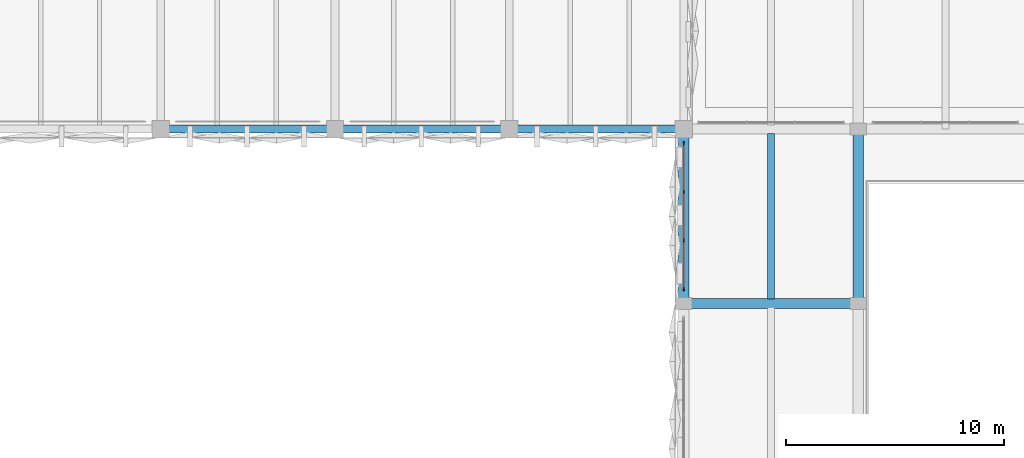
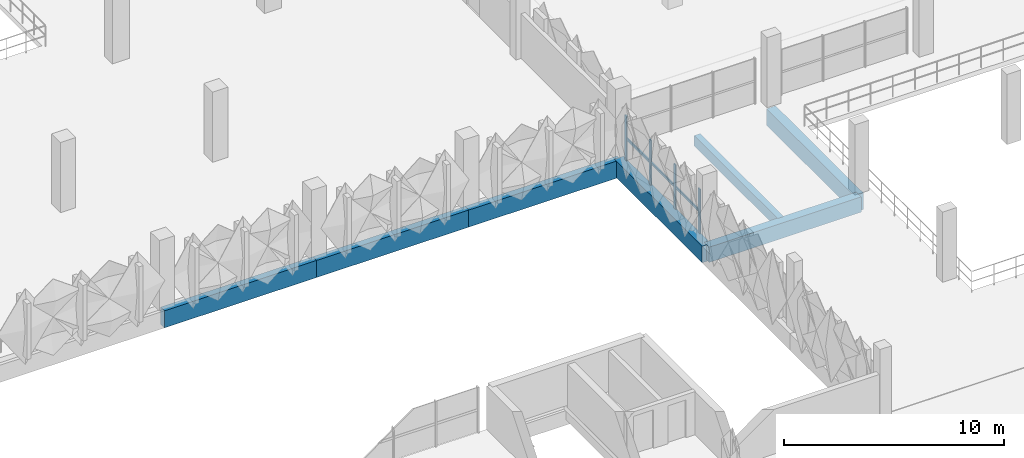
# One storey, part 49 of 123: 7 beams, 5 members, 1 element without a shape of its own.
"""IFC4 building model written with IfcOpenShell, lengths in metres."""

import ifcopenshell
import ifcopenshell.guid

model = None  # the IFC model being written
_history = None  # IfcOwnerHistory: only IFC2X3 demands one
_inside = {}  # id of a spatial element -> (the spatial element, [elements in it])
_under = {}  # id of a project, library or spatial element -> (it, [spatial elements below it])
_declared = {}  # id of a project -> (the project, [libraries it declares])
_typed = {}  # id of a type object -> (the type object, [elements of that type])
_made_of = {}  # id of a material, layer set ... -> (it, [elements and type objects made of it])


def new_model(schema):
    """Start an empty IFC model of exactly this schema.

    Asked for "IFC4X3", IfcOpenShell would pick the latest addendum, in which some entities
    have other attributes; the version numbers below select the first issue.
    IFC2X3 requires an IfcOwnerHistory on every rooted entity: one is made here for all.
    """
    global model, _history
    if schema == "IFC4X3":
        model = ifcopenshell.file(schema_version=(4, 3, 0, 0))
    else:
        model = ifcopenshell.file(schema=schema)
    _inside.clear()
    _under.clear()
    _declared.clear()
    _typed.clear()
    _made_of.clear()
    _history = None
    if model.schema == "IFC2X3":
        org = make("IfcOrganization", Name="unknown")
        user = make(
            "IfcPersonAndOrganization",
            ThePerson=make("IfcPerson", FamilyName="unknown"),
            TheOrganization=org,
        )
        app = make(
            "IfcApplication",
            ApplicationDeveloper=org,
            Version="unknown",
            ApplicationFullName="unknown",
            ApplicationIdentifier="unknown",
        )
        _history = make(
            "IfcOwnerHistory",
            OwningUser=user,
            OwningApplication=app,
            ChangeAction="ADDED",
            CreationDate=0,
        )
    return model


def make(cls, **values):
    """One entity of the class cls with the attributes given. An attribute that is None is left unset."""
    return model.create_entity(
        cls, **{name: value for name, value in values.items() if value is not None}
    )


def rooted(cls, **values):
    """An entity with a GlobalId (a new one), such as an element, a storey or a relation."""
    return make(cls, GlobalId=ifcopenshell.guid.new(), OwnerHistory=_history, **values)


def si_unit(unit_type, name, prefix=None):
    """IfcSIUnit, for example si_unit("LENGTHUNIT", "METRE", prefix="MILLI")."""
    return make("IfcSIUnit", UnitType=unit_type, Prefix=prefix, Name=name)


def derived_unit(unit_type, elements):
    """IfcDerivedUnit: a product of units, each with its exponent."""
    return make(
        "IfcDerivedUnit",
        Elements=[
            make("IfcDerivedUnitElement", Unit=unit, Exponent=power)
            for unit, power in elements
        ],
        UnitType=unit_type,
    )


def assignment(units):
    """IfcUnitAssignment: the units of a project."""
    return None if units is None else make("IfcUnitAssignment", Units=units)


def point(xyz):
    """IfcCartesianPoint."""
    return None if xyz is None else make("IfcCartesianPoint", Coordinates=xyz)


def direction(xyz):
    """IfcDirection."""
    return None if xyz is None else make("IfcDirection", DirectionRatios=xyz)


def frame(location, z_axis=None, x_axis=None):
    """IfcAxis2Placement3D, a coordinate frame: its origin and axes. An axis left out is left unset."""
    return make(
        "IfcAxis2Placement3D",
        Location=point(location),
        Axis=direction(z_axis),
        RefDirection=direction(x_axis),
    )


def frame_2d(location, x_axis=None):
    """IfcAxis2Placement2D, a coordinate frame in the plane: its origin and x axis."""
    return make(
        "IfcAxis2Placement2D", Location=point(location), RefDirection=direction(x_axis)
    )


def origin():
    """The frame at (0, 0, 0) with its axes left unset."""
    return frame((0.0, 0.0, 0.0))


def origin_2d():
    """The frame at (0, 0) in the plane with its x axis left unset."""
    return frame_2d((0.0, 0.0))


def place(relative_to, where):
    """IfcLocalPlacement: puts the frame where relative to a parent placement (None: the world)."""
    return make(
        "IfcLocalPlacement", PlacementRelTo=relative_to, RelativePlacement=where
    )


def context(
    kind, dimensions, precision=None, world=None, true_north=None, identifier=None
):
    """IfcGeometricRepresentationContext, for example the 3D "Model" context."""
    return make(
        "IfcGeometricRepresentationContext",
        ContextIdentifier=identifier,
        ContextType=kind,
        CoordinateSpaceDimension=dimensions,
        Precision=precision,
        WorldCoordinateSystem=world,
        TrueNorth=true_north,
    )


def subcontext(parent, identifier, kind, view, scale=None):
    """IfcGeometricRepresentationSubContext, for example "Body" below "Model"."""
    return make(
        "IfcGeometricRepresentationSubContext",
        ContextIdentifier=identifier,
        ContextType=kind,
        ParentContext=parent,
        TargetScale=scale,
        TargetView=view,
    )


def project(units=None, contexts=None):
    """IfcProject with its units and contexts."""
    return rooted(
        "IfcProject",
        Name="project",
        RepresentationContexts=contexts,
        UnitsInContext=assignment(units),
    )


def spatial(cls, under=None, at=None, **own):
    """A site, building, storey or space (cls), placed at a placement, below another one or the project."""
    s = rooted(cls, ObjectPlacement=at, **own)
    if under is not None:
        _under.setdefault(under.id(), (under, []))[1].append(s)
    return s


def profile(cls, at=None, kind="AREA", **sizes):
    """A parametric profile (cls). Its sizes go by their IFC names, for example OverallWidth=200.0."""
    return make(cls, ProfileType=kind, Position=at, **sizes)


def rectangle(**sizes):
    """IfcRectangleProfileDef."""
    return profile("IfcRectangleProfileDef", **sizes)


def extrude(swept, where, along, depth):
    """IfcExtrudedAreaSolid: the profile swept, set in the frame where, extruded along a direction by depth."""
    return make(
        "IfcExtrudedAreaSolid",
        SweptArea=swept,
        Position=where,
        ExtrudedDirection=direction(along),
        Depth=depth,
    )


def shape(context_of_items, identifier, shape_type, items):
    """IfcShapeRepresentation: the items that make up one representation, for example the "Body"."""
    return make(
        "IfcShapeRepresentation",
        ContextOfItems=context_of_items,
        RepresentationIdentifier=identifier,
        RepresentationType=shape_type,
        Items=items,
    )


def material(Name=None, Category=None):
    """IfcMaterial."""
    return make("IfcMaterial", Name=Name, Category=Category)


def layer(
    of_material, thickness, ventilated=None, Name=None, Category=None, Priority=None
):
    """IfcMaterialLayer: one layer of a wall or slab, of a material (None: an air gap)."""
    return make(
        "IfcMaterialLayer",
        Material=of_material,
        LayerThickness=thickness,
        IsVentilated=ventilated,
        Name=Name,
        Category=Category,
        Priority=Priority,
    )


def layer_set(layers, Name=None):
    """IfcMaterialLayerSet."""
    return make("IfcMaterialLayerSet", MaterialLayers=layers, LayerSetName=Name)


def material_profile(
    of_material, cross_section, Name=None, Category=None, Priority=None
):
    """IfcMaterialProfile: a cross section and its material."""
    return make(
        "IfcMaterialProfile",
        Name=Name,
        Material=of_material,
        Profile=cross_section,
        Priority=Priority,
        Category=Category,
    )


def profile_set(profiles, Name=None, composite=None):
    """IfcMaterialProfileSet."""
    return make(
        "IfcMaterialProfileSet",
        Name=Name,
        MaterialProfiles=profiles,
        CompositeProfile=composite,
    )


def made_of(thing, what):
    """Note that an element or type object is made of a material, layer set ...; save() writes the relation."""
    if what is not None:
        _made_of.setdefault(what.id(), (what, []))[1].append(thing)
    return thing


def type_object(cls, material=None, **own):
    """A type object (cls), such as IfcWallType, which elements share."""
    return made_of(rooted(cls, **own), material)


def element(
    cls,
    number,
    at=None,
    inside=None,
    cuts=None,
    type_object=None,
    material=None,
    context=None,
    identifier="Body",
    shape_type=None,
    held_by="IfcProductDefinitionShape",
    body=None,
    shapes=None,
    **own,
):
    """One element of the class cls, such as IfcWall. Its Tag is "e" and its number.

    at: its placement. inside: the storey or other place that contains it. cuts: it is an
    opening in that element (IfcRelVoidsElement). A single representation is given by context,
    identifier, shape_type and body (its items); several are given by shapes. held_by: the class
    of the entity that holds the representations. save() writes the other relations.
    """
    e = rooted(cls, Tag="e%d" % number, ObjectPlacement=at, **own)
    if body is not None:
        shapes = [shape(context, identifier, shape_type, body)]
    if shapes is not None:
        e.Representation = make(held_by, Representations=shapes)
    if inside is not None:
        _inside.setdefault(inside.id(), (inside, []))[1].append(e)
    if cuts is not None:
        rooted(
            "IfcRelVoidsElement", RelatingBuildingElement=cuts, RelatedOpeningElement=e
        )
    if type_object is not None:
        _typed.setdefault(type_object.id(), (type_object, []))[1].append(e)
    return made_of(e, material)


def aggregate(whole, parts):
    """IfcRelAggregates: a whole, such as a stair, and the parts it consists of."""
    return rooted("IfcRelAggregates", RelatingObject=whole, RelatedObjects=parts)


def save(model, path):
    """Write the relations noted so far, then the file.

    IfcRelAggregates (storeys below a building ...), IfcRelContainedInSpatialStructure (elements
    in a storey), IfcRelDefinesByType, IfcRelAssociatesMaterial and IfcRelDeclares: one each for
    every whole, place, type object, material and project.
    """
    for whole, parts in _under.values():
        aggregate(whole, parts)
    for where, things in _inside.values():
        rooted(
            "IfcRelContainedInSpatialStructure",
            RelatedElements=things,
            RelatingStructure=where,
        )
    for kind, things in _typed.values():
        rooted("IfcRelDefinesByType", RelatedObjects=things, RelatingType=kind)
    for what, things in _made_of.values():
        rooted("IfcRelAssociatesMaterial", RelatedObjects=things, RelatingMaterial=what)
    for by, libraries in _declared.values():
        rooted("IfcRelDeclares", RelatingContext=by, RelatedDefinitions=libraries)
    model.write(path)


model = new_model("IFC4")

# Units and contexts
model_context = context("Model", 3, precision=1e-05, world=origin(), true_north=direction((0.0, 1.0)))
body_context = subcontext(model_context, "Body", "Model", "MODEL_VIEW")
ifc_project = project(units=[si_unit("LENGTHUNIT", "METRE"), si_unit("AREAUNIT", "SQUARE_METRE"), si_unit("VOLUMEUNIT", "CUBIC_METRE"), si_unit("PLANEANGLEUNIT", "RADIAN"), si_unit("MASSUNIT", "GRAM", prefix="KILO"), si_unit("THERMODYNAMICTEMPERATUREUNIT", "KELVIN"), derived_unit("THERMALTRANSMITTANCEUNIT", [(si_unit("POWERUNIT", "WATT"), 1), (si_unit("AREAUNIT", "SQUARE_METRE"), -1), (si_unit("THERMODYNAMICTEMPERATUREUNIT", "KELVIN"), -1)])], contexts=[model_context])

# Site, building, storey
site_placement = place(None, origin())
site = spatial("IfcSite", under=ifc_project, at=site_placement, CompositionType="ELEMENT")
building_placement = place(site_placement, origin())
building = spatial("IfcBuilding", under=site, at=building_placement, Name="Haiyu Intermodal Mobility Hub", CompositionType="ELEMENT")
storey_placement = place(building_placement, frame((0.0, 0.0, 5.60009765625)))
storey = spatial("IfcBuildingStorey", under=building, at=storey_placement, Name="L01", CompositionType="ELEMENT", Elevation=5.60009765625)

# Beams
ifc_material_1 = material(Name="Concrete C40", Category="concrete")
ifc_material_profile_1 = material_profile(ifc_material_1, rectangle(XDim=0.449951171875, YDim=0.85009765625, at=origin_2d()), Name="RCB450x850")
ifc_profile_set_1 = profile_set([ifc_material_profile_1], Name="Concrete C40")
beam_type_1 = type_object("IfcBeamType", Name="BM-CB02", PredefinedType="BEAM", material=ifc_profile_set_1)
beam_1_placement = place(storey_placement, frame((162.0, 96.0, -0.68505859375), z_axis=(1.0, 0.0, 0.0), x_axis=(0.0, 1.0, 0.0)))
element("IfcBeam", 1, at=beam_1_placement, inside=storey, type_object=beam_type_1, Name="BM-V6G-L01-013", PredefinedType="BEAM", context=body_context, shape_type="SweptSolid", body=[
    extrude(rectangle(XDim=0.449951171875, YDim=0.85009765625, at=origin_2d()), origin(), (0.0, 0.0, 1.0), 8.0),
])
ifc_material_profile_2 = material_profile(ifc_material_1, rectangle(XDim=0.47998046875, YDim=0.919921875, at=origin_2d()), Name="B480x920")
ifc_profile_set_2 = profile_set([ifc_material_profile_2], Name="Concrete C40")
beam_type_2 = type_object("IfcBeamType", Name="BM-CB13", PredefinedType="BEAM", material=ifc_profile_set_2)
beam_2_placement = place(storey_placement, frame((170.0, 96.0, -0.72021484375), z_axis=(0.0, 1.0, 0.0), x_axis=(-1.0, 0.0, 0.0)))
element("IfcBeam", 2, at=beam_2_placement, inside=storey, type_object=beam_type_2, Name="BM-V6T-L01-011", PredefinedType="BEAM", context=body_context, shape_type="SweptSolid", body=[
    extrude(rectangle(XDim=0.47998046875, YDim=0.919921875, at=origin_2d()), origin(), (0.0, 0.0, 1.0), 8.0),
])
ifc_material_profile_3 = material_profile(ifc_material_1, rectangle(XDim=0.47998046875, YDim=0.919921875, at=origin_2d()), Name="B480x920")
ifc_profile_set_3 = profile_set([ifc_material_profile_3], Name="Concrete C40")
beam_type_3 = type_object("IfcBeamType", Name="BM-CB13-EXT", PredefinedType="BEAM", material=ifc_profile_set_3)
beam_3_placement = place(storey_placement, frame((162.0, 96.0, -0.72021484375), z_axis=(0.0, 1.0, 0.0), x_axis=(-1.0, 0.0, 0.0)))
element("IfcBeam", 3, at=beam_3_placement, inside=storey, type_object=beam_type_3, Name="BM-V6T-L01-003", PredefinedType="BEAM", context=body_context, shape_type="SweptSolid", body=[
    extrude(rectangle(XDim=0.47998046875, YDim=0.919921875, at=origin_2d()), origin(), (0.0, 0.0, 1.0), 8.0),
])
ifc_material_profile_4 = material_profile(ifc_material_1, rectangle(XDim=0.320068359375, YDim=0.580078125, at=origin_2d()), Name="B320x580")
ifc_profile_set_4 = profile_set([ifc_material_profile_4], Name="Concrete C40")
beam_type_4 = type_object("IfcBeamType", Name="BM-CB17", PredefinedType="JOIST", material=ifc_profile_set_4)
beam_4_placement = place(storey_placement, frame((166.0, 96.195068359375, -0.550048828125), z_axis=(0.0, 1.0, 0.0), x_axis=(-1.0, 0.0, 0.0)))
element("IfcBeam", 4, at=beam_4_placement, inside=storey, type_object=beam_type_4, Name="BM-V6J-L01-003", PredefinedType="JOIST", context=body_context, shape_type="SweptSolid", body=[
    extrude(rectangle(XDim=0.320068359375, YDim=0.580078125, at=origin_2d()), origin(), (0.0, 0.0, 1.0), 7.60986328125),
])
ifc_material_2 = material(Name="Precast concrete C40", Category="concrete")
ifc_material_profile_5 = material_profile(ifc_material_2, rectangle(XDim=0.35009765625, YDim=0.949951171875, at=origin_2d()), Name="PC350x950")
ifc_profile_set_5 = profile_set([ifc_material_profile_5], Name="Precast concrete C40")
beam_type_5 = type_object("IfcBeamType", Name="BM-SP01", PredefinedType="SPANDREL", material=ifc_profile_set_5)
for number, where, z_axis, x_axis, name in (
    (5, (138.0, 104.0, -0.75), (1.0, 0.0, 0.0), (0.0, 1.0, 0.0), "BM-V4G-L01-014"),
    (6, (146.0, 104.0, -0.75), (1.0, 0.0, 0.0), (0.0, 1.0, 0.0), "BM-V4G-L01-015"),
    (7, (154.0, 104.0, -0.75), (1.0, 0.0, 0.0), (0.0, 1.0, 0.0), "BM-V4G-L01-016"),
):
    element("IfcBeam", number, at=place(storey_placement, frame(where, z_axis=z_axis, x_axis=x_axis)), inside=storey, type_object=beam_type_5, Name=name, PredefinedType="SPANDREL", context=body_context, shape_type="SweptSolid", body=[
        extrude(rectangle(XDim=0.35009765625, YDim=0.949951171875, at=origin_2d()), origin(), (0.0, 0.0, 1.0), 8.0),
    ])

# Curtain wall, members
ifc_material_3 = material(Name="Low-e laminated insulating glass", Category="glass")
ifc_layer = layer(ifc_material_3, 0.2099609375)
ifc_layer_set = layer_set([ifc_layer], Name="Low-e laminated insulating glass")
curtain_wall_type = type_object("IfcCurtainWallType", Name="CW-CW04", PredefinedType="NOTDEFINED", material=ifc_layer_set)
curtain_wall_placement = place(storey_placement, origin())
curtain_wall = element("IfcCurtainWall", 8, at=curtain_wall_placement, inside=storey, type_object=curtain_wall_type, Name="Curtain Wall CW-V6W-L01-145", PredefinedType="NOTDEFINED")
ifc_material_4 = material(Name="Anodised aluminium 6063-T6", Category="aluminium")
ifc_material_profile_6 = material_profile(ifc_material_4, rectangle(XDim=0.06494140625, YDim=0.1650390625, at=origin_2d()), Name="ALU65x165")
ifc_profile_set_6 = profile_set([ifc_material_profile_6], Name="Anodised aluminium 6063-T6")
member_type_1 = type_object("IfcMemberType", Name="CWM-ML02", PredefinedType="MULLION", material=ifc_profile_set_6)
member_1_placement = place(storey_placement, frame((162.0, 103.340087890625, 0.0), z_axis=(0.0, 0.0, 1.0), x_axis=(1.0, 0.0, 0.0)))
member_1 = element("IfcMember", 9, at=member_1_placement, type_object=member_type_1, Name="CW-V6W-L01-145-ML01", PredefinedType="MULLION", context=body_context, shape_type="SweptSolid", body=[
    extrude(rectangle(XDim=0.06494140625, YDim=0.1650390625, at=origin_2d()), origin(), (0.0, 0.0, 1.0), 2.47998046875),
])
member_2_placement = place(storey_placement, frame((162.0, 101.113037109375, 0.0), z_axis=(0.0, 0.0, 1.0), x_axis=(1.0, 0.0, 0.0)))
member_2 = element("IfcMember", 10, at=member_2_placement, type_object=member_type_1, Name="CW-V6W-L01-145-ML02", PredefinedType="MULLION", context=body_context, shape_type="SweptSolid", body=[
    extrude(rectangle(XDim=0.06494140625, YDim=0.1650390625, at=origin_2d()), origin(), (0.0, 0.0, 1.0), 2.47998046875),
])
member_3_placement = place(storey_placement, frame((162.0, 98.886962890625, 0.0), z_axis=(0.0, 0.0, 1.0), x_axis=(1.0, 0.0, 0.0)))
member_3 = element("IfcMember", 11, at=member_3_placement, type_object=member_type_1, Name="CW-V6W-L01-145-ML03", PredefinedType="MULLION", context=body_context, shape_type="SweptSolid", body=[
    extrude(rectangle(XDim=0.06494140625, YDim=0.1650390625, at=origin_2d()), origin(), (0.0, 0.0, 1.0), 2.47998046875),
])
member_4_placement = place(storey_placement, frame((162.0, 96.659912109375, 0.0), z_axis=(0.0, 0.0, 1.0), x_axis=(1.0, 0.0, 0.0)))
member_4 = element("IfcMember", 12, at=member_4_placement, type_object=member_type_1, Name="CW-V6W-L01-145-ML04", PredefinedType="MULLION", context=body_context, shape_type="SweptSolid", body=[
    extrude(rectangle(XDim=0.06494140625, YDim=0.1650390625, at=origin_2d()), origin(), (0.0, 0.0, 1.0), 2.47998046875),
])
ifc_material_profile_7 = material_profile(ifc_material_4, rectangle(XDim=0.06494140625, YDim=0.135009765625, at=origin_2d()), Name="ALU65x135")
ifc_profile_set_7 = profile_set([ifc_material_profile_7], Name="Anodised aluminium 6063-T6")
member_type_2 = type_object("IfcMemberType", Name="CWM-TR02", PredefinedType="USERDEFINED", material=ifc_profile_set_7)
member_5_placement = place(storey_placement, frame((162.0, 103.3798828125, 1.239990234375), z_axis=(0.0, -1.0, 0.0), x_axis=(1.0, 0.0, 0.0)))
member_5 = element("IfcMember", 13, at=member_5_placement, type_object=member_type_2, Name="CW-V6W-L01-145-TR01", ObjectType="TRANSOM", PredefinedType="USERDEFINED", context=body_context, shape_type="SweptSolid", body=[
    extrude(rectangle(XDim=0.06494140625, YDim=0.135009765625, at=origin_2d()), origin(), (0.0, 0.0, 1.0), 6.759765625),
])
aggregate(curtain_wall, [member_1, member_2, member_3, member_4, member_5])

save(model, "model.ifc")
